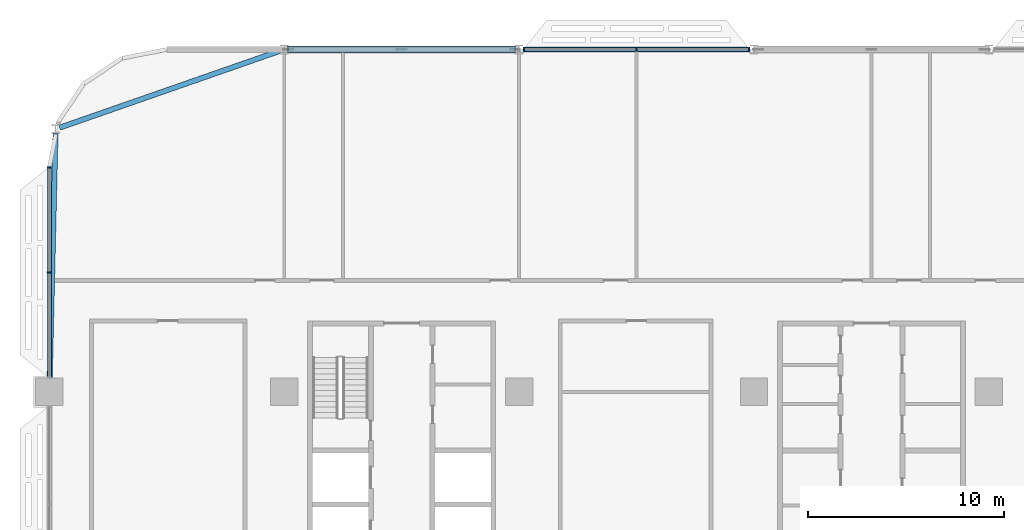
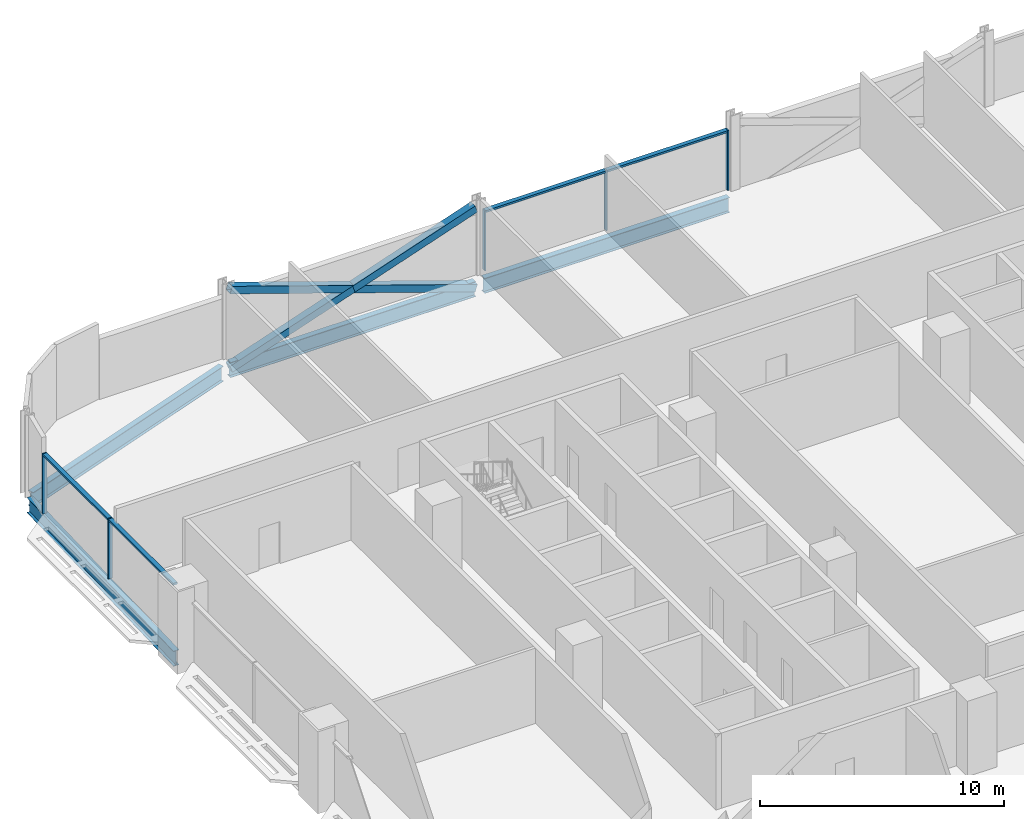
# One storey, part 6 of 29: 12 members, 4 beams, 2 elements without a shape of their own.
"""IFC4 building model written with IfcOpenShell, lengths in metres."""

from ifc_helpers import new_model, si_unit, direction, frame, origin, origin_2d, place, context, subcontext, project, spatial, rectangle, hollow_rectangle, i_section, extrude, material, material_profile, profile_set, type_object, element, aggregate, save


model = new_model("IFC4")

# Units and contexts
model_context = context("Model", 3, precision=1e-05, world=origin(), true_north=direction((0.0, 1.0)))
body_context = subcontext(model_context, "Body", "Model", "MODEL_VIEW")
ifc_project = project(units=[si_unit("LENGTHUNIT", "METRE"), si_unit("AREAUNIT", "SQUARE_METRE"), si_unit("VOLUMEUNIT", "CUBIC_METRE"), si_unit("PLANEANGLEUNIT", "RADIAN"), si_unit("MASSUNIT", "GRAM", prefix="KILO")], contexts=[model_context])

# Site, building, storey
site_placement = place(None, origin())
site = spatial("IfcSite", under=ifc_project, at=site_placement, CompositionType="ELEMENT")
building_placement = place(site_placement, origin())
building = spatial("IfcBuilding", under=site, at=building_placement, Name="Mahtab Terrace Research Tower", CompositionType="ELEMENT")
storey_placement = place(building_placement, frame((0.0, 0.0, 93.0)))
storey = spatial("IfcBuildingStorey", under=building, at=storey_placement, Name="L21", CompositionType="ELEMENT", Elevation=93.0)

# Members
ifc_material_1 = material(Name="Steel ASTM A500 Gr C", Category="steel")
ifc_material_profile_1 = material_profile(ifc_material_1, hollow_rectangle(XDim=0.355712890625, YDim=0.355712890625, WallThickness=0.01904296875, at=origin_2d()), Name="HSS14X14X3/4")
ifc_profile_set_1 = profile_set([ifc_material_profile_1], Name="Steel ASTM A500 Gr C")
member_type_1 = type_object("IfcMemberType", Name="HSS 14x14x3/4 brace XB141434", PredefinedType="BRACE", material=ifc_profile_set_1)
member_1_placement = place(storey_placement, frame((-18.20947265625, 29.0, -0.64697265625), z_axis=(-0.946286750388, 0.0, 0.323328603809), x_axis=(0.0, -1.0, 0.0)))
element("IfcMember", 1, at=member_1_placement, inside=storey, type_object=member_type_1, Name="Exoskeleton brace L21 07 a", PredefinedType="BRACE", context=body_context, shape_type="SweptSolid", body=[
    extrude(hollow_rectangle(XDim=0.355712890625, YDim=0.355712890625, WallThickness=0.01904296875, at=origin_2d()), origin(), (0.0, 0.0, 1.0), 12.238525390625),
])
for number, where, z_axis, x_axis, name in (
    (2, (-29.79052734375, 29.0, -0.64697265625), (0.946286750388, 0.0, 0.323328603809), (0.0, 1.0, 0.0), "Exoskeleton brace L21 07 b1"),
    (3, (-24.0, 29.0, 1.33154296875), (0.946286750388, 0.0, 0.323328603809), (0.0, 1.0, 0.0), "Exoskeleton brace L21 07 b2"),
):
    element("IfcMember", number, at=place(storey_placement, frame(where, z_axis=z_axis, x_axis=x_axis)), inside=storey, type_object=member_type_1, Name=name, PredefinedType="BRACE", context=body_context, shape_type="SweptSolid", body=[
        extrude(hollow_rectangle(XDim=0.355712890625, YDim=0.355712890625, WallThickness=0.01904296875, at=origin_2d()), origin(), (0.0, 0.0, 1.0), 6.119140625),
    ])

# Curtain wall, members
ifc_material_2 = material(Name="Laboratory ribbon curtain wall")
curtain_wall_type = type_object("IfcCurtainWallType", Name="Laboratory ribbon curtain wall", PredefinedType="NOTDEFINED", material=ifc_material_2)
curtain_wall_1_placement = place(storey_placement, origin())
curtain_wall_1 = element("IfcCurtainWall", 4, at=curtain_wall_1_placement, inside=storey, type_object=curtain_wall_type, Name="EN.L21.3.8", PredefinedType="NOTDEFINED")
ifc_material_3 = material(Name="Natural anodised aluminium", Category="aluminium")
ifc_material_profile_2 = material_profile(ifc_material_3, rectangle(XDim=0.199951171875, YDim=0.06494140625, at=origin_2d()), Name="MULLION 65x200")
ifc_profile_set_2 = profile_set([ifc_material_profile_2], Name="Natural anodised aluminium")
member_type_2 = type_object("IfcMemberType", Name="Laboratory ribbon curtain wall mullion", PredefinedType="MULLION", material=ifc_profile_set_2)
member_2_placement = place(storey_placement, frame((-6.260498046875, 29.0, 0.0), z_axis=(0.0, 0.0, 1.0), x_axis=(0.0, -1.0, 0.0)))
member_2 = element("IfcMember", 5, at=member_2_placement, type_object=member_type_2, Name="CWL-3 mullion 1", PredefinedType="MULLION", context=body_context, shape_type="SweptSolid", body=[
    extrude(rectangle(XDim=0.199951171875, YDim=0.06494140625, at=origin_2d()), origin(), (0.0, 0.0, 1.0), 3.003173828125),
])
member_3_placement = place(storey_placement, frame((-12.0, 29.0, 0.0), z_axis=(0.0, 0.0, 1.0), x_axis=(0.0, -1.0, 0.0)))
member_3 = element("IfcMember", 6, at=member_3_placement, type_object=member_type_2, Name="CWL-3 mullion 2", PredefinedType="MULLION", context=body_context, shape_type="SweptSolid", body=[
    extrude(rectangle(XDim=0.199951171875, YDim=0.06494140625, at=origin_2d()), origin(), (0.0, 0.0, 1.0), 3.003173828125),
])
member_4_placement = place(storey_placement, frame((-17.739501953125, 29.0, 0.0), z_axis=(0.0, 0.0, 1.0), x_axis=(0.0, -1.0, 0.0)))
member_4 = element("IfcMember", 7, at=member_4_placement, type_object=member_type_2, Name="CWL-3 mullion 3", PredefinedType="MULLION", context=body_context, shape_type="SweptSolid", body=[
    extrude(rectangle(XDim=0.199951171875, YDim=0.06494140625, at=origin_2d()), origin(), (0.0, 0.0, 1.0), 3.003173828125),
])

curtain_wall_2_placement = place(storey_placement, origin())
curtain_wall_2 = element("IfcCurtainWall", 8, at=curtain_wall_2_placement, inside=storey, type_object=curtain_wall_type, Name="EN.L21.8.16", PredefinedType="NOTDEFINED")
member_5_placement = place(storey_placement, frame((-42.0, 22.967529296875, 0.0), z_axis=(0.0, 0.0, 1.0), x_axis=(1.0, 0.0, 0.0)))
member_5 = element("IfcMember", 9, at=member_5_placement, type_object=member_type_2, Name="CWL-3 mullion 1", PredefinedType="MULLION", context=body_context, shape_type="SweptSolid", body=[
    extrude(rectangle(XDim=0.199951171875, YDim=0.06494140625, at=origin_2d()), origin(), (0.0, 0.0, 1.0), 3.003173828125),
])
member_6_placement = place(storey_placement, frame((-42.0, 17.60009765625, 0.0), z_axis=(0.0, 0.0, 1.0), x_axis=(1.0, 0.0, 0.0)))
member_6 = element("IfcMember", 10, at=member_6_placement, type_object=member_type_2, Name="CWL-3 mullion 2", PredefinedType="MULLION", context=body_context, shape_type="SweptSolid", body=[
    extrude(rectangle(XDim=0.199951171875, YDim=0.06494140625, at=origin_2d()), origin(), (0.0, 0.0, 1.0), 3.003173828125),
])

# Member
ifc_material_profile_3 = material_profile(ifc_material_3, rectangle(XDim=0.199951171875, YDim=0.10009765625, at=origin_2d()), Name="TRANSOM 100x200")
ifc_profile_set_3 = profile_set([ifc_material_profile_3], Name="Natural anodised aluminium")
member_type_3 = type_object("IfcMemberType", Name="Laboratory ribbon curtain wall transom", PredefinedType="USERDEFINED", material=ifc_profile_set_3)
member_7_placement = place(storey_placement, frame((-6.29296875, 29.0, 2.953125), z_axis=(-1.0, 0.0, 0.0), x_axis=(0.0, -1.0, 0.0)))
member_7 = element("IfcMember", 11, at=member_7_placement, type_object=member_type_3, Name="CWL-3 transom 1", ObjectType="TRANSOM", PredefinedType="USERDEFINED", context=body_context, shape_type="SweptSolid", body=[
    extrude(rectangle(XDim=0.199951171875, YDim=0.10009765625, at=origin_2d()), origin(), (0.0, 0.0, 1.0), 5.674560546875),
])

member_8_placement = place(storey_placement, frame((-12.032470703125, 29.0, 2.953125), z_axis=(-1.0, 0.0, 0.0), x_axis=(0.0, -1.0, 0.0)))
member_8 = element("IfcMember", 12, at=member_8_placement, type_object=member_type_3, Name="CWL-3 transom 2", ObjectType="TRANSOM", PredefinedType="USERDEFINED", context=body_context, shape_type="SweptSolid", body=[
    extrude(rectangle(XDim=0.199951171875, YDim=0.10009765625, at=origin_2d()), origin(), (0.0, 0.0, 1.0), 5.674560546875),
])

aggregate(curtain_wall_1, [member_2, member_3, member_4, member_7, member_8])

member_9_placement = place(storey_placement, frame((-42.0, 22.93505859375, 2.953125), z_axis=(0.0, -1.0, 0.0), x_axis=(1.0, 0.0, 0.0)))
member_9 = element("IfcMember", 13, at=member_9_placement, type_object=member_type_3, Name="CWL-3 transom 1", ObjectType="TRANSOM", PredefinedType="USERDEFINED", context=body_context, shape_type="SweptSolid", body=[
    extrude(rectangle(XDim=0.199951171875, YDim=0.10009765625, at=origin_2d()), origin(), (0.0, 0.0, 1.0), 5.302490234375),
])

member_10_placement = place(storey_placement, frame((-42.0, 17.5673828125, 2.953125), z_axis=(0.0, -1.0, 0.0), x_axis=(1.0, 0.0, 0.0)))
member_10 = element("IfcMember", 14, at=member_10_placement, type_object=member_type_3, Name="CWL-3 transom 2", ObjectType="TRANSOM", PredefinedType="USERDEFINED", context=body_context, shape_type="SweptSolid", body=[
    extrude(rectangle(XDim=0.199951171875, YDim=0.10009765625, at=origin_2d()), origin(), (0.0, 0.0, 1.0), 5.302490234375),
])

aggregate(curtain_wall_2, [member_5, member_6, member_9, member_10])

# Beams
ifc_material_4 = material(Name="Steel ASTM A992 Gr 50", Category="steel")
ifc_material_profile_4 = material_profile(ifc_material_4, i_section(OverallWidth=0.2666015625, OverallDepth=0.7568359375, WebThickness=0.013916015625, FlangeThickness=0.019287109375, at=origin_2d()), Name="W30X108")
ifc_profile_set_4 = profile_set([ifc_material_profile_4], Name="Steel ASTM A992 Gr 50")
beam_type = type_object("IfcBeamType", Name="W30x108 beam BS30108", PredefinedType="BEAM", material=ifc_profile_set_4)
for number, where, z_axis, x_axis, name in (
    (15, (-6.20947265625, 29.0, -0.718505859375), (-1.0, 0.0, 0.0), (0.0, -1.0, 0.0), "Spandrel beam L21 06"),
    (16, (-18.20947265625, 29.0, -0.718505859375), (-1.0, 0.0, 0.0), (0.0, -1.0, 0.0), "Spandrel beam L21 07"),
):
    element("IfcBeam", number, at=place(storey_placement, frame(where, z_axis=z_axis, x_axis=x_axis)), inside=storey, type_object=beam_type, Name=name, PredefinedType="BEAM", context=body_context, shape_type="SweptSolid", body=[
        extrude(i_section(OverallWidth=0.2666015625, OverallDepth=0.7568359375, WebThickness=0.013916015625, FlangeThickness=0.019287109375, at=origin_2d()), origin(), (0.0, 0.0, 1.0), 11.5810546875),
    ])
beam_1_placement = place(storey_placement, frame((-30.20947265625, 28.927001953125, -0.718505859375), z_axis=(-0.944250501583, -0.32922786981, 0.0), x_axis=(0.32922786981, -0.944250501583, 0.0)))
element("IfcBeam", 17, at=beam_1_placement, inside=storey, type_object=beam_type, Name="Spandrel beam L21 08", PredefinedType="BEAM", context=body_context, shape_type="SweptSolid", body=[
    extrude(i_section(OverallWidth=0.2666015625, OverallDepth=0.7568359375, WebThickness=0.013916015625, FlangeThickness=0.019287109375, at=origin_2d()), origin(), (0.0, 0.0, 1.0), 11.927978515625),
])
beam_2_placement = place(storey_placement, frame((-41.6875, 24.69970703125, -0.718505859375), z_axis=(-0.02366570739, -0.999719927927, 0.0), x_axis=(0.999719927927, -0.02366570739, 0.0)))
element("IfcBeam", 18, at=beam_2_placement, inside=storey, type_object=beam_type, Name="Spandrel beam L21 09", PredefinedType="BEAM", context=body_context, shape_type="SweptSolid", body=[
    extrude(i_section(OverallWidth=0.2666015625, OverallDepth=0.7568359375, WebThickness=0.013916015625, FlangeThickness=0.019287109375, at=origin_2d()), origin(), (0.0, 0.0, 1.0), 12.503173828125),
])

save(model, "model.ifc")
